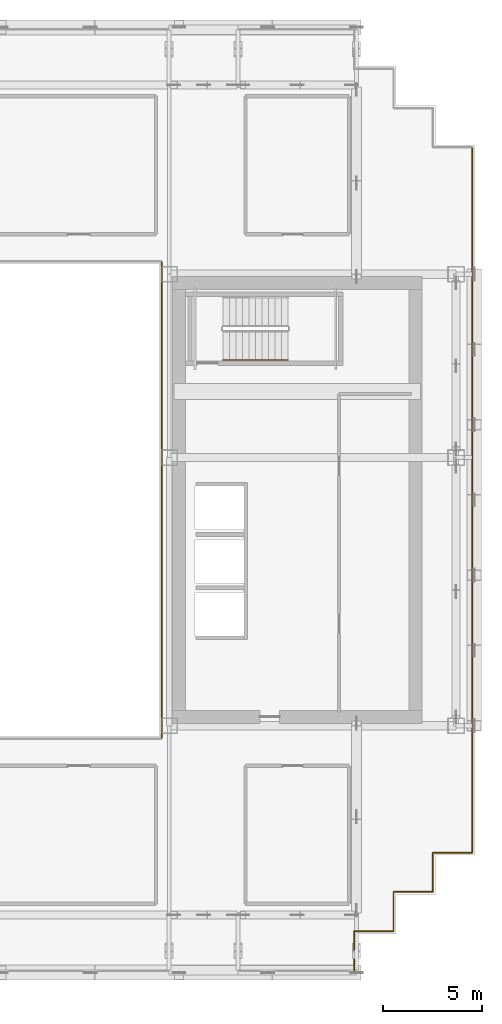
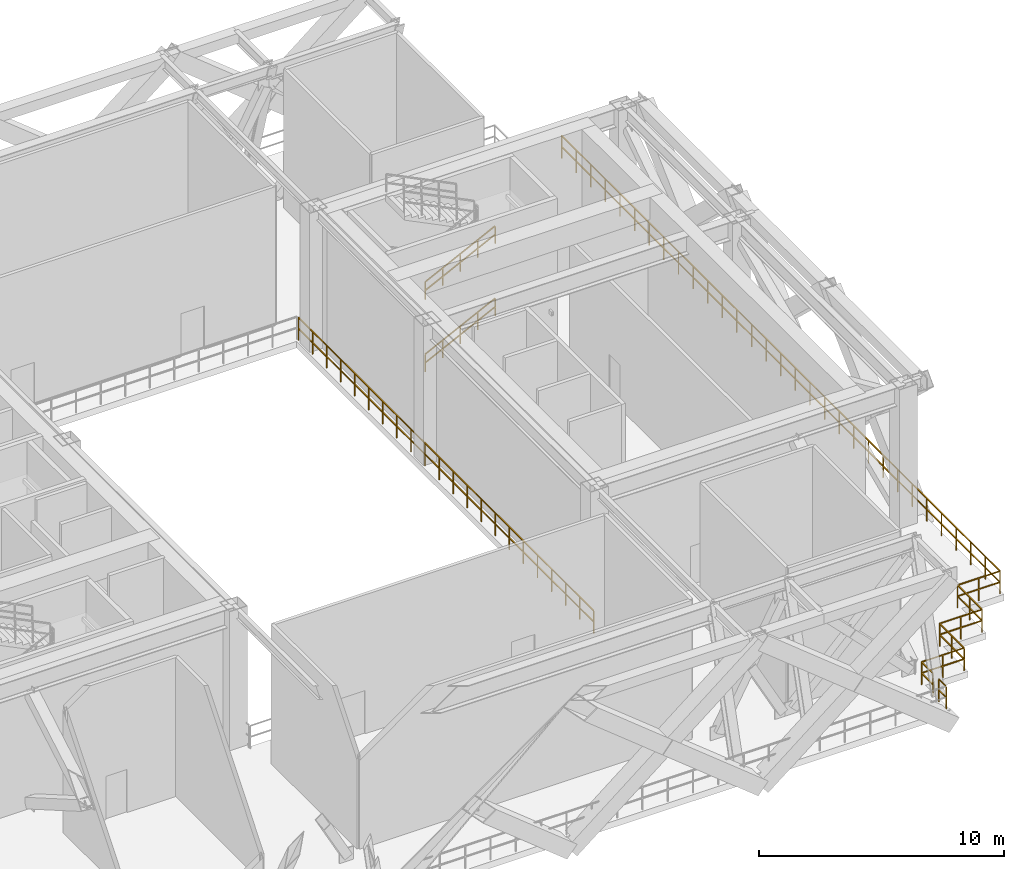
# One storey, part 12 of 14: 11 railings.
"""IFC4 building model written with IfcOpenShell, lengths in metres."""

from ifc_helpers import new_model, si_unit, direction, frame, origin, origin_2d, place, context, subcontext, project, spatial, rectangle, extrude, material, type_object, element, save


model = new_model("IFC4")

# Units and contexts
model_context = context("Model", 3, precision=1e-05, world=origin(), true_north=direction((0.0, 1.0)))
body_context = subcontext(model_context, "Body", "Model", "MODEL_VIEW")
ifc_project = project(units=[si_unit("LENGTHUNIT", "METRE"), si_unit("AREAUNIT", "SQUARE_METRE"), si_unit("VOLUMEUNIT", "CUBIC_METRE"), si_unit("PLANEANGLEUNIT", "RADIAN"), si_unit("MASSUNIT", "GRAM", prefix="KILO")], contexts=[model_context])

# Site, building, storey
site_placement = place(None, origin())
site = spatial("IfcSite", under=ifc_project, at=site_placement, CompositionType="ELEMENT")
building_placement = place(site_placement, origin())
building = spatial("IfcBuilding", under=site, at=building_placement, Name="Ocotamira Hotel", CompositionType="ELEMENT")
storey_placement = place(building_placement, frame((0.0, 0.0, 151.199951171875)))
storey = spatial("IfcBuildingStorey", under=building, at=storey_placement, Name="L38", CompositionType="ELEMENT", Elevation=151.199951171875)

# Railings
ifc_material_1 = material(Name="Painted steel stair guardrail", Category="steel")
railing_type_1 = type_object("IfcRailingType", Name="RL-EDGE-1150", PredefinedType="GUARDRAIL", material=ifc_material_1)
railing_1_placement = place(storey_placement, frame((40.1201171875, 13.9599609375, 0.0)))
element("IfcRailing", 1, at=railing_1_placement, inside=storey, type_object=railing_type_1, Name="L38 Central Atrium Edge Guardrail E", PredefinedType="GUARDRAIL", context=body_context, shape_type="SweptSolid", body=[
    extrude(rectangle(XDim=0.048095703125, YDim=0.048095703125, at=origin_2d()), frame((0.0, 0.0, 1.1259765625), z_axis=(0.0, 1.0, 0.0), x_axis=(-1.0, 0.0, 0.0)), (0.0, 0.0, 1.0), 24.080078125),
    extrude(rectangle(XDim=0.048095703125, YDim=0.048095703125, at=origin_2d()), frame((0.0, 0.0, 0.574951171875), z_axis=(0.0, 1.0, 0.0), x_axis=(-1.0, 0.0, 0.0)), (0.0, 0.0, 1.0), 24.080078125),
    extrude(rectangle(XDim=0.0419921875, YDim=0.0419921875, at=origin_2d()), origin(), (0.0, 0.0, 1.0), 1.101806640625),
    extrude(rectangle(XDim=0.0419921875, YDim=0.0419921875, at=origin_2d()), frame((0.0, 1.146728515625, 0.0)), (0.0, 0.0, 1.0), 1.101806640625),
    extrude(rectangle(XDim=0.0419921875, YDim=0.0419921875, at=origin_2d()), frame((0.0, 2.29345703125, 0.0)), (0.0, 0.0, 1.0), 1.101806640625),
    extrude(rectangle(XDim=0.0419921875, YDim=0.0419921875, at=origin_2d()), frame((0.0, 3.43994140625, 0.0)), (0.0, 0.0, 1.0), 1.101806640625),
    extrude(rectangle(XDim=0.0419921875, YDim=0.0419921875, at=origin_2d()), frame((0.0, 4.586669921875, 0.0)), (0.0, 0.0, 1.0), 1.101806640625),
    extrude(rectangle(XDim=0.0419921875, YDim=0.0419921875, at=origin_2d()), frame((0.0, 5.7333984375, 0.0)), (0.0, 0.0, 1.0), 1.101806640625),
    extrude(rectangle(XDim=0.0419921875, YDim=0.0419921875, at=origin_2d()), frame((0.0, 6.880126953125, 0.0)), (0.0, 0.0, 1.0), 1.101806640625),
    extrude(rectangle(XDim=0.0419921875, YDim=0.0419921875, at=origin_2d()), frame((0.0, 8.026611328125, 0.0)), (0.0, 0.0, 1.0), 1.101806640625),
    extrude(rectangle(XDim=0.0419921875, YDim=0.0419921875, at=origin_2d()), frame((0.0, 9.17333984375, 0.0)), (0.0, 0.0, 1.0), 1.101806640625),
    extrude(rectangle(XDim=0.0419921875, YDim=0.0419921875, at=origin_2d()), frame((0.0, 10.320068359375, 0.0)), (0.0, 0.0, 1.0), 1.101806640625),
    extrude(rectangle(XDim=0.0419921875, YDim=0.0419921875, at=origin_2d()), frame((0.0, 11.466796875, 0.0)), (0.0, 0.0, 1.0), 1.101806640625),
    extrude(rectangle(XDim=0.0419921875, YDim=0.0419921875, at=origin_2d()), frame((0.0, 12.61328125, 0.0)), (0.0, 0.0, 1.0), 1.101806640625),
    extrude(rectangle(XDim=0.0419921875, YDim=0.0419921875, at=origin_2d()), frame((0.0, 13.760009765625, 0.0)), (0.0, 0.0, 1.0), 1.101806640625),
    extrude(rectangle(XDim=0.0419921875, YDim=0.0419921875, at=origin_2d()), frame((0.0, 14.90673828125, 0.0)), (0.0, 0.0, 1.0), 1.101806640625),
    extrude(rectangle(XDim=0.0419921875, YDim=0.0419921875, at=origin_2d()), frame((0.0, 16.053466796875, 0.0)), (0.0, 0.0, 1.0), 1.101806640625),
    extrude(rectangle(XDim=0.0419921875, YDim=0.0419921875, at=origin_2d()), frame((0.0, 17.199951171875, 0.0)), (0.0, 0.0, 1.0), 1.101806640625),
    extrude(rectangle(XDim=0.0419921875, YDim=0.0419921875, at=origin_2d()), frame((0.0, 18.3466796875, 0.0)), (0.0, 0.0, 1.0), 1.101806640625),
    extrude(rectangle(XDim=0.0419921875, YDim=0.0419921875, at=origin_2d()), frame((0.0, 19.493408203125, 0.0)), (0.0, 0.0, 1.0), 1.101806640625),
    extrude(rectangle(XDim=0.0419921875, YDim=0.0419921875, at=origin_2d()), frame((0.0, 20.64013671875, 0.0)), (0.0, 0.0, 1.0), 1.101806640625),
    extrude(rectangle(XDim=0.0419921875, YDim=0.0419921875, at=origin_2d()), frame((0.0, 21.78662109375, 0.0)), (0.0, 0.0, 1.0), 1.101806640625),
    extrude(rectangle(XDim=0.0419921875, YDim=0.0419921875, at=origin_2d()), frame((0.0, 22.933349609375, 0.0)), (0.0, 0.0, 1.0), 1.101806640625),
    extrude(rectangle(XDim=0.0419921875, YDim=0.0419921875, at=origin_2d()), frame((0.0, 24.080078125, 0.0)), (0.0, 0.0, 1.0), 1.101806640625),
])
ifc_material_2 = material(Name="Brushed stainless steel handrail", Category="steel")
railing_type_2 = type_object("IfcRailingType", Name="RL-HAND-900", PredefinedType="HANDRAIL", material=ifc_material_2)
railing_2_placement = place(storey_placement, frame((43.22998046875, 33.10009765625, 0.327392578125)))
element("IfcRailing", 2, at=railing_2_placement, inside=storey, type_object=railing_type_2, Name="L38 ST-4 stair handrail 1", PredefinedType="HANDRAIL", context=body_context, shape_type="SweptSolid", body=[
    extrude(rectangle(XDim=0.048095703125, YDim=0.048095703125, at=origin_2d()), frame((0.0, 0.0, 0.8759765625), z_axis=(0.895920123917, 0.0, 0.444215186098), x_axis=(0.0, 1.0, 0.0)), (0.0, 0.0, 1.0), 3.683349609375),
    extrude(rectangle(XDim=0.048095703125, YDim=0.048095703125, at=origin_2d()), frame((0.0, 0.0, 0.449951171875), z_axis=(0.895920123917, 0.0, 0.444215186098), x_axis=(0.0, 1.0, 0.0)), (0.0, 0.0, 1.0), 3.683349609375),
    extrude(rectangle(XDim=0.0419921875, YDim=0.0419921875, at=origin_2d()), origin(), (0.0, 0.0, 1.0), 0.851806640625),
    extrude(rectangle(XDim=0.0419921875, YDim=0.0419921875, at=origin_2d()), frame((0.824951171875, 0.0, 0.4091796875)), (0.0, 0.0, 1.0), 0.851806640625),
    extrude(rectangle(XDim=0.0419921875, YDim=0.0419921875, at=origin_2d()), frame((1.64990234375, 0.0, 0.818115234375)), (0.0, 0.0, 1.0), 0.851806640625),
    extrude(rectangle(XDim=0.0419921875, YDim=0.0419921875, at=origin_2d()), frame((2.47509765625, 0.0, 1.22705078125)), (0.0, 0.0, 1.0), 0.851806640625),
    extrude(rectangle(XDim=0.0419921875, YDim=0.0419921875, at=origin_2d()), frame((3.300048828125, 0.0, 1.63623046875)), (0.0, 0.0, 1.0), 0.851806640625),
])
railing_3_placement = place(storey_placement, frame((43.22998046875, 33.10009765625, 3.92724609375)))
element("IfcRailing", 3, at=railing_3_placement, inside=storey, type_object=railing_type_2, Name="L38 ST-4 stair handrail 3", PredefinedType="HANDRAIL", context=body_context, shape_type="SweptSolid", body=[
    extrude(rectangle(XDim=0.048095703125, YDim=0.048095703125, at=origin_2d()), frame((0.0, 0.0, 0.8759765625), z_axis=(0.895893744519, 0.0, 0.4442683857), x_axis=(0.0, 1.0, 0.0)), (0.0, 0.0, 1.0), 3.68359375),
    extrude(rectangle(XDim=0.048095703125, YDim=0.048095703125, at=origin_2d()), frame((0.0, 0.0, 0.449951171875), z_axis=(0.895893744519, 0.0, 0.4442683857), x_axis=(0.0, 1.0, 0.0)), (0.0, 0.0, 1.0), 3.68359375),
    extrude(rectangle(XDim=0.0419921875, YDim=0.0419921875, at=origin_2d()), origin(), (0.0, 0.0, 1.0), 0.851806640625),
    extrude(rectangle(XDim=0.0419921875, YDim=0.0419921875, at=origin_2d()), frame((0.824951171875, 0.0, 0.4091796875)), (0.0, 0.0, 1.0), 0.851806640625),
    extrude(rectangle(XDim=0.0419921875, YDim=0.0419921875, at=origin_2d()), frame((1.64990234375, 0.0, 0.818359375)), (0.0, 0.0, 1.0), 0.851806640625),
    extrude(rectangle(XDim=0.0419921875, YDim=0.0419921875, at=origin_2d()), frame((2.47509765625, 0.0, 1.227294921875)), (0.0, 0.0, 1.0), 0.851806640625),
    extrude(rectangle(XDim=0.0419921875, YDim=0.0419921875, at=origin_2d()), frame((3.300048828125, 0.0, 1.636474609375)), (0.0, 0.0, 1.0), 0.851806640625),
])
ifc_material_3 = material(Name="Pale-metal stainless steel guardrail", Category="steel")
railing_type_3 = type_object("IfcRailingType", Name="RL-PERIM-1150", PredefinedType="GUARDRAIL", material=ifc_material_3)
railing_4_placement = place(storey_placement, frame((55.8798828125, 43.8798828125, 0.0)))
element("IfcRailing", 4, at=railing_4_placement, inside=storey, type_object=railing_type_3, Name="L38 Perimeter Guardrail WSLOT1-24", PredefinedType="GUARDRAIL", context=body_context, shape_type="SweptSolid", body=[
    extrude(rectangle(XDim=0.048095703125, YDim=0.048095703125, at=origin_2d()), frame((0.0, 0.0, 1.1259765625), z_axis=(0.0, -1.0, 0.0), x_axis=(1.0, 0.0, 0.0)), (0.0, 0.0, 1.0), 35.759765625),
    extrude(rectangle(XDim=0.048095703125, YDim=0.048095703125, at=origin_2d()), frame((0.0, 0.0, 0.574951171875), z_axis=(0.0, -1.0, 0.0), x_axis=(1.0, 0.0, 0.0)), (0.0, 0.0, 1.0), 35.759765625),
    extrude(rectangle(XDim=0.0419921875, YDim=0.0419921875, at=origin_2d()), origin(), (0.0, 0.0, 1.0), 1.101806640625),
    extrude(rectangle(XDim=0.0419921875, YDim=0.0419921875, at=origin_2d()), frame((0.0, -1.19189453125, 0.0)), (0.0, 0.0, 1.0), 1.101806640625),
    extrude(rectangle(XDim=0.0419921875, YDim=0.0419921875, at=origin_2d()), frame((0.0, -2.384033203125, 0.0)), (0.0, 0.0, 1.0), 1.101806640625),
    extrude(rectangle(XDim=0.0419921875, YDim=0.0419921875, at=origin_2d()), frame((0.0, -3.575927734375, 0.0)), (0.0, 0.0, 1.0), 1.101806640625),
    extrude(rectangle(XDim=0.0419921875, YDim=0.0419921875, at=origin_2d()), frame((0.0, -4.76806640625, 0.0)), (0.0, 0.0, 1.0), 1.101806640625),
    extrude(rectangle(XDim=0.0419921875, YDim=0.0419921875, at=origin_2d()), frame((0.0, -5.9599609375, 0.0)), (0.0, 0.0, 1.0), 1.101806640625),
    extrude(rectangle(XDim=0.0419921875, YDim=0.0419921875, at=origin_2d()), frame((0.0, -7.15185546875, 0.0)), (0.0, 0.0, 1.0), 1.101806640625),
    extrude(rectangle(XDim=0.0419921875, YDim=0.0419921875, at=origin_2d()), frame((0.0, -8.343994140625, 0.0)), (0.0, 0.0, 1.0), 1.101806640625),
    extrude(rectangle(XDim=0.0419921875, YDim=0.0419921875, at=origin_2d()), frame((0.0, -9.535888671875, 0.0)), (0.0, 0.0, 1.0), 1.101806640625),
    extrude(rectangle(XDim=0.0419921875, YDim=0.0419921875, at=origin_2d()), frame((0.0, -10.72802734375, 0.0)), (0.0, 0.0, 1.0), 1.101806640625),
    extrude(rectangle(XDim=0.0419921875, YDim=0.0419921875, at=origin_2d()), frame((0.0, -11.919921875, 0.0)), (0.0, 0.0, 1.0), 1.101806640625),
    extrude(rectangle(XDim=0.0419921875, YDim=0.0419921875, at=origin_2d()), frame((0.0, -13.11181640625, 0.0)), (0.0, 0.0, 1.0), 1.101806640625),
    extrude(rectangle(XDim=0.0419921875, YDim=0.0419921875, at=origin_2d()), frame((0.0, -14.303955078125, 0.0)), (0.0, 0.0, 1.0), 1.101806640625),
    extrude(rectangle(XDim=0.0419921875, YDim=0.0419921875, at=origin_2d()), frame((0.0, -15.495849609375, 0.0)), (0.0, 0.0, 1.0), 1.101806640625),
    extrude(rectangle(XDim=0.0419921875, YDim=0.0419921875, at=origin_2d()), frame((0.0, -16.68798828125, 0.0)), (0.0, 0.0, 1.0), 1.101806640625),
    extrude(rectangle(XDim=0.0419921875, YDim=0.0419921875, at=origin_2d()), frame((0.0, -17.8798828125, 0.0)), (0.0, 0.0, 1.0), 1.101806640625),
    extrude(rectangle(XDim=0.0419921875, YDim=0.0419921875, at=origin_2d()), frame((0.0, -19.07177734375, 0.0)), (0.0, 0.0, 1.0), 1.101806640625),
    extrude(rectangle(XDim=0.0419921875, YDim=0.0419921875, at=origin_2d()), frame((0.0, -20.263916015625, 0.0)), (0.0, 0.0, 1.0), 1.101806640625),
    extrude(rectangle(XDim=0.0419921875, YDim=0.0419921875, at=origin_2d()), frame((0.0, -21.455810546875, 0.0)), (0.0, 0.0, 1.0), 1.101806640625),
    extrude(rectangle(XDim=0.0419921875, YDim=0.0419921875, at=origin_2d()), frame((0.0, -22.64794921875, 0.0)), (0.0, 0.0, 1.0), 1.101806640625),
    extrude(rectangle(XDim=0.0419921875, YDim=0.0419921875, at=origin_2d()), frame((0.0, -23.83984375, 0.0)), (0.0, 0.0, 1.0), 1.101806640625),
    extrude(rectangle(XDim=0.0419921875, YDim=0.0419921875, at=origin_2d()), frame((0.0, -25.03173828125, 0.0)), (0.0, 0.0, 1.0), 1.101806640625),
    extrude(rectangle(XDim=0.0419921875, YDim=0.0419921875, at=origin_2d()), frame((0.0, -26.223876953125, 0.0)), (0.0, 0.0, 1.0), 1.101806640625),
    extrude(rectangle(XDim=0.0419921875, YDim=0.0419921875, at=origin_2d()), frame((0.0, -27.415771484375, 0.0)), (0.0, 0.0, 1.0), 1.101806640625),
    extrude(rectangle(XDim=0.0419921875, YDim=0.0419921875, at=origin_2d()), frame((0.0, -28.60791015625, 0.0)), (0.0, 0.0, 1.0), 1.101806640625),
    extrude(rectangle(XDim=0.0419921875, YDim=0.0419921875, at=origin_2d()), frame((0.0, -29.7998046875, 0.0)), (0.0, 0.0, 1.0), 1.101806640625),
    extrude(rectangle(XDim=0.0419921875, YDim=0.0419921875, at=origin_2d()), frame((0.0, -30.99169921875, 0.0)), (0.0, 0.0, 1.0), 1.101806640625),
    extrude(rectangle(XDim=0.0419921875, YDim=0.0419921875, at=origin_2d()), frame((0.0, -32.183837890625, 0.0)), (0.0, 0.0, 1.0), 1.101806640625),
    extrude(rectangle(XDim=0.0419921875, YDim=0.0419921875, at=origin_2d()), frame((0.0, -33.375732421875, 0.0)), (0.0, 0.0, 1.0), 1.101806640625),
    extrude(rectangle(XDim=0.0419921875, YDim=0.0419921875, at=origin_2d()), frame((0.0, -34.56787109375, 0.0)), (0.0, 0.0, 1.0), 1.101806640625),
    extrude(rectangle(XDim=0.0419921875, YDim=0.0419921875, at=origin_2d()), frame((0.0, -35.759765625, 0.0)), (0.0, 0.0, 1.0), 1.101806640625),
])
railing_5_placement = place(storey_placement, frame((55.8798828125, 8.1201171875, 0.0)))
element("IfcRailing", 5, at=railing_5_placement, inside=storey, type_object=railing_type_3, Name="L38 Perimeter Guardrail WSLOT1-25", PredefinedType="GUARDRAIL", context=body_context, shape_type="SweptSolid", body=[
    extrude(rectangle(XDim=0.048095703125, YDim=0.048095703125, at=origin_2d()), frame((0.0, 0.0, 1.1259765625), z_axis=(-1.0, 0.0, 0.0), x_axis=(0.0, -1.0, 0.0)), (0.0, 0.0, 1.0), 2.0),
    extrude(rectangle(XDim=0.048095703125, YDim=0.048095703125, at=origin_2d()), frame((0.0, 0.0, 0.574951171875), z_axis=(-1.0, 0.0, 0.0), x_axis=(0.0, -1.0, 0.0)), (0.0, 0.0, 1.0), 2.0),
    extrude(rectangle(XDim=0.0419921875, YDim=0.0419921875, at=origin_2d()), origin(), (0.0, 0.0, 1.0), 1.101806640625),
    extrude(rectangle(XDim=0.0419921875, YDim=0.0419921875, at=origin_2d()), frame((-1.0, 0.0, 0.0)), (0.0, 0.0, 1.0), 1.101806640625),
    extrude(rectangle(XDim=0.0419921875, YDim=0.0419921875, at=origin_2d()), frame((-2.0, 0.0, 0.0)), (0.0, 0.0, 1.0), 1.101806640625),
])
railing_6_placement = place(storey_placement, frame((53.8798828125, 8.1201171875, 0.0)))
element("IfcRailing", 6, at=railing_6_placement, inside=storey, type_object=railing_type_3, Name="L38 Perimeter Guardrail WSLOT1-26", PredefinedType="GUARDRAIL", context=body_context, shape_type="SweptSolid", body=[
    extrude(rectangle(XDim=0.048095703125, YDim=0.048095703125, at=origin_2d()), frame((0.0, 0.0, 1.1259765625), z_axis=(0.0, -1.0, 0.0), x_axis=(1.0, 0.0, 0.0)), (0.0, 0.0, 1.0), 2.0),
    extrude(rectangle(XDim=0.048095703125, YDim=0.048095703125, at=origin_2d()), frame((0.0, 0.0, 0.574951171875), z_axis=(0.0, -1.0, 0.0), x_axis=(1.0, 0.0, 0.0)), (0.0, 0.0, 1.0), 2.0),
    extrude(rectangle(XDim=0.0419921875, YDim=0.0419921875, at=origin_2d()), origin(), (0.0, 0.0, 1.0), 1.101806640625),
    extrude(rectangle(XDim=0.0419921875, YDim=0.0419921875, at=origin_2d()), frame((0.0, -1.0, 0.0)), (0.0, 0.0, 1.0), 1.101806640625),
    extrude(rectangle(XDim=0.0419921875, YDim=0.0419921875, at=origin_2d()), frame((0.0, -2.0, 0.0)), (0.0, 0.0, 1.0), 1.101806640625),
])
railing_7_placement = place(storey_placement, frame((53.8798828125, 6.1201171875, 0.0)))
element("IfcRailing", 7, at=railing_7_placement, inside=storey, type_object=railing_type_3, Name="L38 Perimeter Guardrail WSLOT1-27", PredefinedType="GUARDRAIL", context=body_context, shape_type="SweptSolid", body=[
    extrude(rectangle(XDim=0.048095703125, YDim=0.048095703125, at=origin_2d()), frame((0.0, 0.0, 1.1259765625), z_axis=(-1.0, 0.0, 0.0), x_axis=(0.0, -1.0, 0.0)), (0.0, 0.0, 1.0), 2.0),
    extrude(rectangle(XDim=0.048095703125, YDim=0.048095703125, at=origin_2d()), frame((0.0, 0.0, 0.574951171875), z_axis=(-1.0, 0.0, 0.0), x_axis=(0.0, -1.0, 0.0)), (0.0, 0.0, 1.0), 2.0),
    extrude(rectangle(XDim=0.0419921875, YDim=0.0419921875, at=origin_2d()), origin(), (0.0, 0.0, 1.0), 1.101806640625),
    extrude(rectangle(XDim=0.0419921875, YDim=0.0419921875, at=origin_2d()), frame((-1.0, 0.0, 0.0)), (0.0, 0.0, 1.0), 1.101806640625),
    extrude(rectangle(XDim=0.0419921875, YDim=0.0419921875, at=origin_2d()), frame((-2.0, 0.0, 0.0)), (0.0, 0.0, 1.0), 1.101806640625),
])
railing_8_placement = place(storey_placement, frame((51.8798828125, 6.1201171875, 0.0)))
element("IfcRailing", 8, at=railing_8_placement, inside=storey, type_object=railing_type_3, Name="L38 Perimeter Guardrail WSLOT1-28", PredefinedType="GUARDRAIL", context=body_context, shape_type="SweptSolid", body=[
    extrude(rectangle(XDim=0.048095703125, YDim=0.048095703125, at=origin_2d()), frame((0.0, 0.0, 1.1259765625), z_axis=(0.0, -1.0, 0.0), x_axis=(1.0, 0.0, 0.0)), (0.0, 0.0, 1.0), 2.0),
    extrude(rectangle(XDim=0.048095703125, YDim=0.048095703125, at=origin_2d()), frame((0.0, 0.0, 0.574951171875), z_axis=(0.0, -1.0, 0.0), x_axis=(1.0, 0.0, 0.0)), (0.0, 0.0, 1.0), 2.0),
    extrude(rectangle(XDim=0.0419921875, YDim=0.0419921875, at=origin_2d()), origin(), (0.0, 0.0, 1.0), 1.101806640625),
    extrude(rectangle(XDim=0.0419921875, YDim=0.0419921875, at=origin_2d()), frame((0.0, -1.0, 0.0)), (0.0, 0.0, 1.0), 1.101806640625),
    extrude(rectangle(XDim=0.0419921875, YDim=0.0419921875, at=origin_2d()), frame((0.0, -2.0, 0.0)), (0.0, 0.0, 1.0), 1.101806640625),
])
railing_9_placement = place(storey_placement, frame((51.8798828125, 4.1201171875, 0.0)))
element("IfcRailing", 9, at=railing_9_placement, inside=storey, type_object=railing_type_3, Name="L38 Perimeter Guardrail WSLOT1-29", PredefinedType="GUARDRAIL", context=body_context, shape_type="SweptSolid", body=[
    extrude(rectangle(XDim=0.048095703125, YDim=0.048095703125, at=origin_2d()), frame((0.0, 0.0, 1.1259765625), z_axis=(-1.0, 0.0, 0.0), x_axis=(0.0, -1.0, 0.0)), (0.0, 0.0, 1.0), 2.0),
    extrude(rectangle(XDim=0.048095703125, YDim=0.048095703125, at=origin_2d()), frame((0.0, 0.0, 0.574951171875), z_axis=(-1.0, 0.0, 0.0), x_axis=(0.0, -1.0, 0.0)), (0.0, 0.0, 1.0), 2.0),
    extrude(rectangle(XDim=0.0419921875, YDim=0.0419921875, at=origin_2d()), origin(), (0.0, 0.0, 1.0), 1.101806640625),
    extrude(rectangle(XDim=0.0419921875, YDim=0.0419921875, at=origin_2d()), frame((-1.0, 0.0, 0.0)), (0.0, 0.0, 1.0), 1.101806640625),
    extrude(rectangle(XDim=0.0419921875, YDim=0.0419921875, at=origin_2d()), frame((-2.0, 0.0, 0.0)), (0.0, 0.0, 1.0), 1.101806640625),
])
railing_10_placement = place(storey_placement, frame((49.8798828125, 4.1201171875, 0.0)))
element("IfcRailing", 10, at=railing_10_placement, inside=storey, type_object=railing_type_3, Name="L38 Perimeter Guardrail WSLOT1-30", PredefinedType="GUARDRAIL", context=body_context, shape_type="SweptSolid", body=[
    extrude(rectangle(XDim=0.048095703125, YDim=0.048095703125, at=origin_2d()), frame((0.0, 0.0, 1.1259765625), z_axis=(0.0, -1.0, 0.0), x_axis=(1.0, 0.0, 0.0)), (0.0, 0.0, 1.0), 0.9326171875),
    extrude(rectangle(XDim=0.048095703125, YDim=0.048095703125, at=origin_2d()), frame((0.0, 0.0, 0.574951171875), z_axis=(0.0, -1.0, 0.0), x_axis=(1.0, 0.0, 0.0)), (0.0, 0.0, 1.0), 0.9326171875),
    extrude(rectangle(XDim=0.0419921875, YDim=0.0419921875, at=origin_2d()), origin(), (0.0, 0.0, 1.0), 1.101806640625),
    extrude(rectangle(XDim=0.0419921875, YDim=0.0419921875, at=origin_2d()), frame((0.0, -0.9326171875, 0.0)), (0.0, 0.0, 1.0), 1.101806640625),
])
railing_11_placement = place(storey_placement, frame((49.8798828125, 2.71240234375, 0.0)))
element("IfcRailing", 11, at=railing_11_placement, inside=storey, type_object=railing_type_3, Name="L38 Perimeter Guardrail WSLOT1-31", PredefinedType="GUARDRAIL", context=body_context, shape_type="SweptSolid", body=[
    extrude(rectangle(XDim=0.048095703125, YDim=0.048095703125, at=origin_2d()), frame((0.0, 0.0, 1.1259765625), z_axis=(0.0, -1.0, 0.0), x_axis=(1.0, 0.0, 0.0)), (0.0, 0.0, 1.0), 0.59228515625),
    extrude(rectangle(XDim=0.048095703125, YDim=0.048095703125, at=origin_2d()), frame((0.0, 0.0, 0.574951171875), z_axis=(0.0, -1.0, 0.0), x_axis=(1.0, 0.0, 0.0)), (0.0, 0.0, 1.0), 0.59228515625),
    extrude(rectangle(XDim=0.0419921875, YDim=0.0419921875, at=origin_2d()), origin(), (0.0, 0.0, 1.0), 1.101806640625),
    extrude(rectangle(XDim=0.0419921875, YDim=0.0419921875, at=origin_2d()), frame((0.0, -0.59228515625, 0.0)), (0.0, 0.0, 1.0), 1.101806640625),
])

save(model, "model.ifc")
